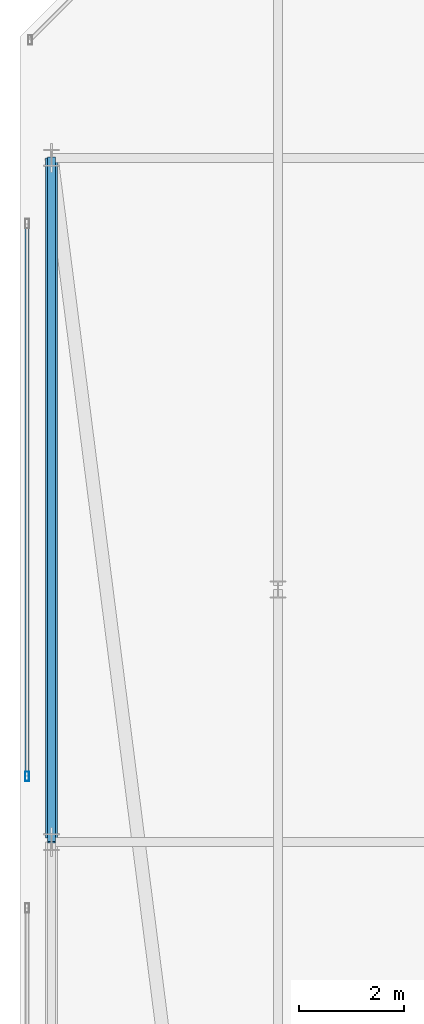
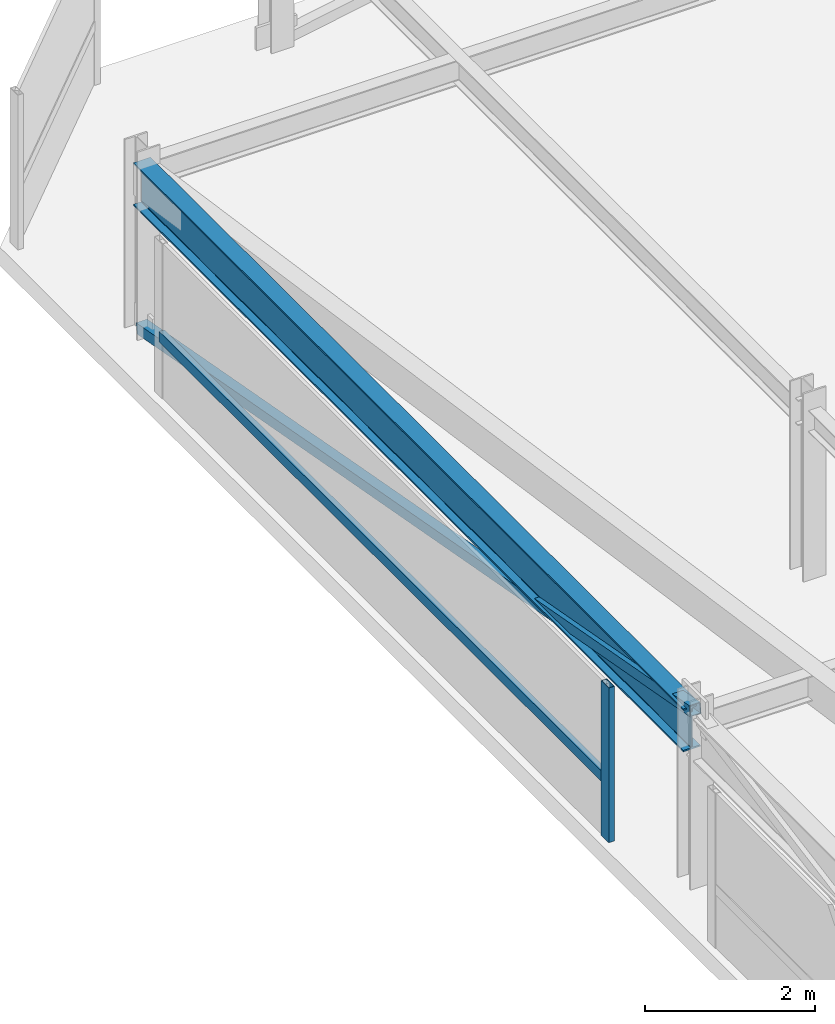
# One storey, part 16 of 44: 3 members, 1 beam, 1 element without a shape of its own.
"""IFC4 building model written with IfcOpenShell, lengths in metres."""

from ifc_helpers import new_model, si_unit, direction, frame, origin, origin_2d, place, context, subcontext, project, spatial, hollow_rectangle, i_section, extrude, material, material_profile, profile_set, type_object, element, aggregate, save


model = new_model("IFC4")

# Units and contexts
model_context = context("Model", 3, precision=1e-05, world=origin(), true_north=direction((0.0, 1.0)))
body_context = subcontext(model_context, "Body", "Model", "MODEL_VIEW")
ifc_project = project(units=[si_unit("LENGTHUNIT", "METRE"), si_unit("AREAUNIT", "SQUARE_METRE"), si_unit("VOLUMEUNIT", "CUBIC_METRE"), si_unit("PLANEANGLEUNIT", "RADIAN"), si_unit("MASSUNIT", "GRAM", prefix="KILO")], contexts=[model_context])

# Site, building, storey
site_placement = place(None, origin())
site = spatial("IfcSite", under=ifc_project, at=site_placement, CompositionType="ELEMENT")
building_placement = place(site_placement, origin())
building = spatial("IfcBuilding", under=site, at=building_placement, Name="Thornwick Lancets Civic Towers", CompositionType="ELEMENT")
storey_placement = place(building_placement, frame((0.0, 0.0, 294.89990234375)))
storey = spatial("IfcBuildingStorey", under=building, at=storey_placement, Name="C06", CompositionType="ELEMENT", Elevation=294.89990234375)

# Beam
ifc_material_1 = material(Name="Steel S355JR", Category="steel")
ifc_material_profile_1 = material_profile(ifc_material_1, i_section(OverallWidth=0.230224609375, OverallDepth=0.6171875, WebThickness=0.01318359375, FlangeThickness=0.022216796875, FilletRadius=0.0126953125, at=origin_2d()), Name="UKB 610x229x140")
ifc_profile_set_1 = profile_set([ifc_material_profile_1], Name="Steel S355JR")
beam_type = type_object("IfcBeamType", Name="BM_GIRD_610_140", PredefinedType="BEAM", material=ifc_profile_set_1)
beam_placement = place(storey_placement, frame((8.199951171875, 27.080078125, 2.131591796875), z_axis=(0.0, 1.0, 0.0), x_axis=(-1.0, 0.0, 0.0)))
element("IfcBeam", 1, at=beam_placement, inside=storey, type_object=beam_type, Name="BM-SPINE-C06-A-10-11", PredefinedType="BEAM", context=body_context, shape_type="SweptSolid", body=[
    extrude(i_section(OverallWidth=0.230224609375, OverallDepth=0.6171875, WebThickness=0.01318359375, FlangeThickness=0.022216796875, FilletRadius=0.0126953125, at=origin_2d()), origin(), (0.0, 0.0, 1.0), 12.919921875),
])

# Curtain wall, members
ifc_material_2 = material(Name="Crown ring acoustic-louvre and glazing screen wall", Category="glass")
curtain_wall_type = type_object("IfcCurtainWallType", Name="CW_SYS_07", PredefinedType="NOTDEFINED", material=ifc_material_2)
curtain_wall_placement = place(storey_placement, origin())
curtain_wall = element("IfcCurtainWall", 2, at=curtain_wall_placement, inside=storey, type_object=curtain_wall_type, Name="C06 Curtain Wall CW-C06-A-E6-S1", PredefinedType="NOTDEFINED")
ifc_material_3 = material(Name="Thermally broken bronze aluminium S355", Category="steel")
ifc_material_profile_2 = material_profile(ifc_material_3, hollow_rectangle(XDim=0.074951171875, YDim=0.179931640625, WallThickness=0.006103515625, at=origin_2d()), Name="RHS 180x75x6")
ifc_profile_set_2 = profile_set([ifc_material_profile_2], Name="Thermally broken bronze aluminium S355")
member_type_1 = type_object("IfcMemberType", Name="CW_MUL_180", PredefinedType="MULLION", material=ifc_profile_set_2)
member_1_placement = place(storey_placement, frame((7.7353515625, 28.25, 0.0), z_axis=(0.0, 0.0, 1.0), x_axis=(1.0, 0.0, 0.0)))
member_1 = element("IfcMember", 3, at=member_1_placement, type_object=member_type_1, Name="CW-C06-A-E6-S1 Mullion 1", PredefinedType="MULLION", context=body_context, shape_type="SweptSolid", body=[
    extrude(hollow_rectangle(XDim=0.074951171875, YDim=0.179931640625, WallThickness=0.006103515625, at=origin_2d()), origin(), (0.0, 0.0, 1.0), 2.22021484375),
])
ifc_material_profile_3 = material_profile(ifc_material_3, hollow_rectangle(XDim=0.074951171875, YDim=0.14990234375, WallThickness=0.0048828125, at=origin_2d()), Name="RHS 150x75x5")
ifc_profile_set_3 = profile_set([ifc_material_profile_3], Name="Thermally broken bronze aluminium S355")
member_type_2 = type_object("IfcMemberType", Name="CW_TRN_150", PredefinedType="USERDEFINED", material=ifc_profile_set_3)
member_2_placement = place(storey_placement, frame((7.7353515625, 38.72998046875, 0.85009765625), z_axis=(0.0, -1.0, 0.0), x_axis=(1.0, 0.0, 0.0)))
member_2 = element("IfcMember", 4, at=member_2_placement, type_object=member_type_2, Name="CW-C06-A-E6-S1 Transom 0", ObjectType="TRANSOM", PredefinedType="USERDEFINED", context=body_context, shape_type="SweptSolid", body=[
    extrude(hollow_rectangle(XDim=0.074951171875, YDim=0.14990234375, WallThickness=0.0048828125, at=origin_2d()), origin(), (0.0, 0.0, 1.0), 10.4599609375),
])
aggregate(curtain_wall, [member_1, member_2])

# Member
ifc_material_profile_4 = material_profile(ifc_material_1, hollow_rectangle(XDim=0.14990234375, YDim=0.14990234375, WallThickness=0.010009765625, at=origin_2d()), Name="SHS 150x150x10")
ifc_profile_set_4 = profile_set([ifc_material_profile_4], Name="Steel S355JR")
member_type_3 = type_object("IfcMemberType", Name="MEM_CROWN_SHS150", PredefinedType="BRACE", material=ifc_profile_set_4)
member_3_placement = place(storey_placement, frame((8.199951171875, 40.0, 0.050048828125), z_axis=(0.0, -0.983515136313, 0.180825818519), x_axis=(1.0, 0.0, 0.0)))
element("IfcMember", 5, at=member_3_placement, inside=storey, type_object=member_type_3, Name="C06 Crown Ring Lancet Rib A-S3-R", PredefinedType="BRACE", context=body_context, shape_type="SweptSolid", body=[
    extrude(hollow_rectangle(XDim=0.14990234375, YDim=0.14990234375, WallThickness=0.010009765625, at=origin_2d()), origin(), (0.0, 0.0, 1.0), 13.2177734375),
])

save(model, "model.ifc")
